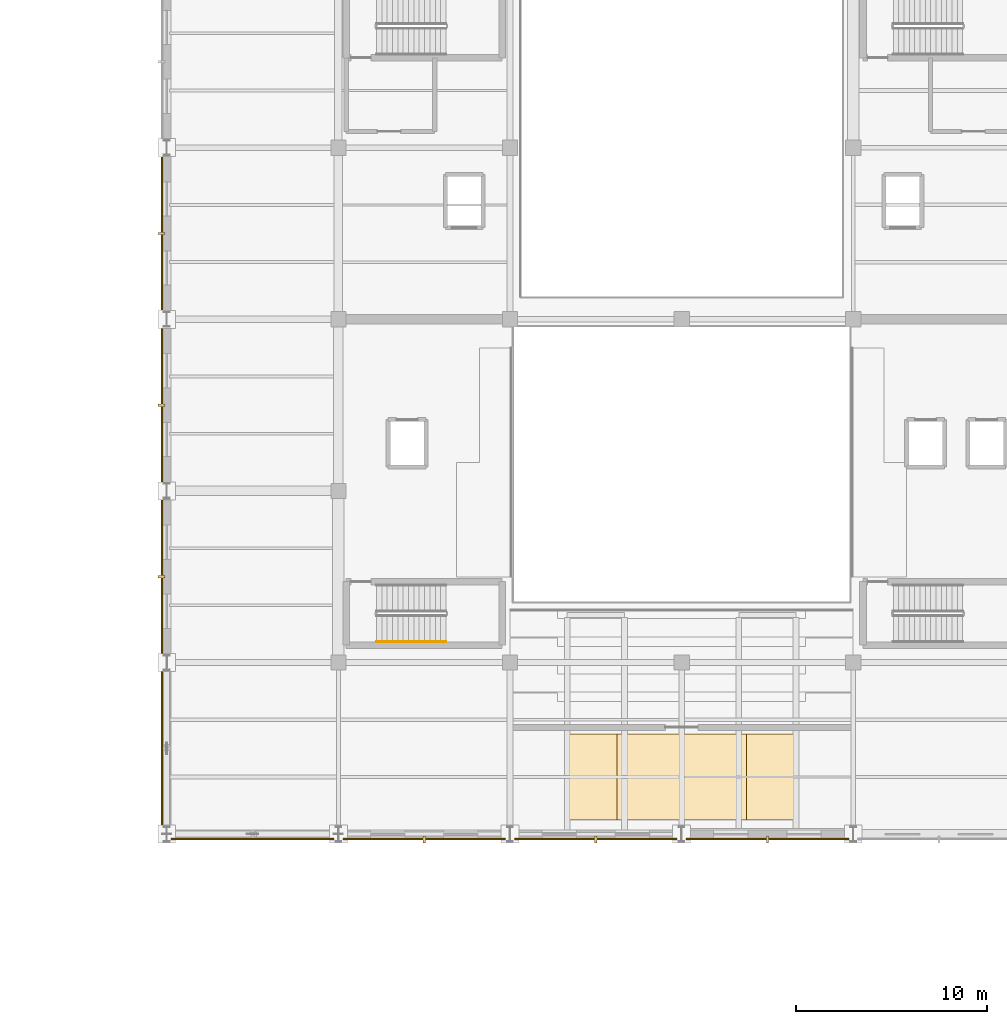
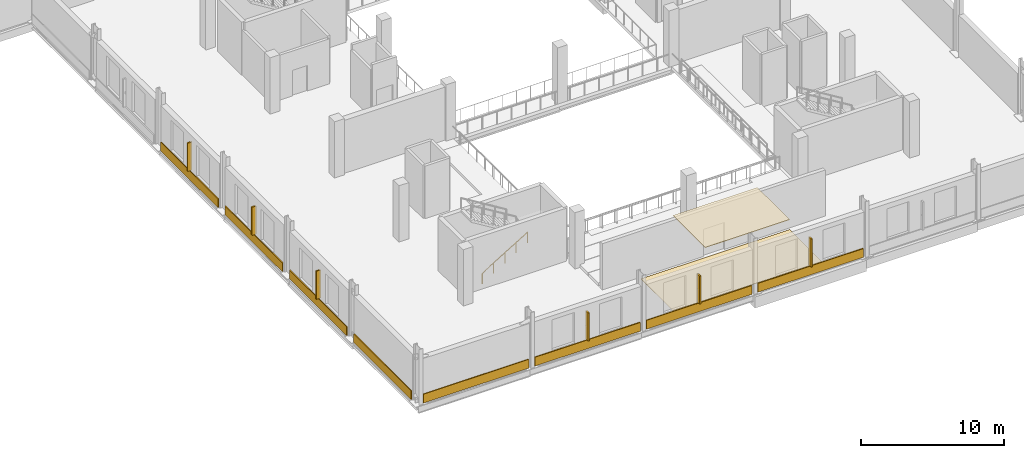
# One storey, part 44 of 54: 10 coverings, 6 shading devices, 1 railing.
"""IFC4 building model written with IfcOpenShell, lengths in metres."""

from ifc_helpers import new_model, si_unit, direction, frame, origin, origin_2d, place, context, subcontext, project, spatial, rectangle, circle, extrude, material, layer, layer_set, type_object, element, save


model = new_model("IFC4")

# Units and contexts
model_context = context("Model", 3, precision=1e-05, world=origin(), true_north=direction((0.0, 1.0)))
body_context = subcontext(model_context, "Body", "Model", "MODEL_VIEW")
ifc_project = project(units=[si_unit("LENGTHUNIT", "METRE"), si_unit("AREAUNIT", "SQUARE_METRE"), si_unit("VOLUMEUNIT", "CUBIC_METRE"), si_unit("PLANEANGLEUNIT", "RADIAN"), si_unit("MASSUNIT", "GRAM", prefix="KILO")], contexts=[model_context])

# Site, building, storey
site_placement = place(None, origin())
site = spatial("IfcSite", under=ifc_project, at=site_placement, CompositionType="ELEMENT")
building_placement = place(site_placement, origin())
building = spatial("IfcBuilding", under=site, at=building_placement, Name="Sundgate Opera House", CompositionType="ELEMENT")
storey_placement = place(building_placement, frame((0.0, 0.0, 16.800048828125)))
storey = spatial("IfcBuildingStorey", under=building, at=storey_placement, Name="L03", CompositionType="ELEMENT", Elevation=16.800048828125)

# Coverings
ifc_material_1 = material(Name="Perforated European oak acoustic ceiling", Category="wood")
ifc_layer_1 = layer(ifc_material_1, 0.044921875)
ifc_layer_set_1 = layer_set([ifc_layer_1], Name="Perforated European oak acoustic ceiling")
covering_type_1 = type_object("IfcCoveringType", Name="CV-CEIL-OAK", PredefinedType="CEILING", material=ifc_layer_set_1)
covering_1_placement = place(storey_placement, frame((54.0, 36.0, 4.47509765625), z_axis=(0.0, 0.0, 1.0), x_axis=(1.0, 0.0, 0.0)))
element("IfcCovering", 1, at=covering_1_placement, inside=storey, type_object=covering_type_1, Name="L03 Acoustic Ceiling CV0132", PredefinedType="CEILING", context=body_context, shape_type="SweptSolid", body=[
    extrude(rectangle(XDim=6.800048828125, YDim=4.5, at=origin_2d()), origin(), (0.0, 0.0, 1.0), 0.044921875),
])
ifc_material_2 = material(Name="Honed Komstad limestone floor finish", Category="masonry")
ifc_layer_2 = layer(ifc_material_2, 0.02001953125)
ifc_layer_set_2 = layer_set([ifc_layer_2], Name="Honed Komstad limestone floor finish")
covering_type_2 = type_object("IfcCoveringType", Name="CV-FLR-STONE", PredefinedType="FLOORING", material=ifc_layer_set_2)
covering_2_placement = place(storey_placement, frame((54.0, 36.0, 0.0), z_axis=(0.0, 0.0, 1.0), x_axis=(1.0, 0.0, 0.0)))
element("IfcCovering", 2, at=covering_2_placement, inside=storey, type_object=covering_type_2, Name="L03 Floor Finish CV0145", PredefinedType="FLOORING", context=body_context, shape_type="SweptSolid", body=[
    extrude(rectangle(XDim=12.0, YDim=4.5, at=origin_2d()), origin(), (0.0, 0.0, 1.0), 0.02001953125),
])
ifc_material_3 = material(Name="Deep-carved Komstad limestone relief panel", Category="masonry")
ifc_layer_3 = layer(ifc_material_3, 0.094970703125)
ifc_layer_set_3 = layer_set([ifc_layer_3], Name="Deep-carved Komstad limestone relief panel")
covering_type_3 = type_object("IfcCoveringType", Name="CV-TRENC-DEEP", PredefinedType="CLADDING", material=ifc_layer_set_3)
covering_3_placement = place(storey_placement, frame((40.5, 32.742431640625, 0.044921875), z_axis=(0.0, 0.0, 1.0), x_axis=(1.0, 0.0, 0.0)))
element("IfcCovering", 3, at=covering_3_placement, inside=storey, type_object=covering_type_3, Name="L03 Trencadis 750mm Relief Band CV0027", PredefinedType="CLADDING", context=body_context, shape_type="SweptSolid", body=[
    extrude(rectangle(XDim=8.510009765625, YDim=0.074951171875, at=origin_2d()), origin(), (0.0, 0.0, 1.0), 0.75),
])
covering_4_placement = place(storey_placement, frame((26.742431640625, 46.5, 0.044921875), z_axis=(0.0, 0.0, 1.0), x_axis=(0.0, 1.0, 0.0)))
element("IfcCovering", 4, at=covering_4_placement, inside=storey, type_object=covering_type_3, Name="L03 Trencadis 750mm Relief Band CV0039", PredefinedType="CLADDING", context=body_context, shape_type="SweptSolid", body=[
    extrude(rectangle(XDim=8.010009765625, YDim=0.074951171875, at=origin_2d()), origin(), (0.0, 0.0, 1.0), 0.75),
])
ifc_material_4 = material(Name="Frost-proof vitrified stoneware trencadis relief tile", Category="masonry")
ifc_layer_4 = layer(ifc_material_4, 0.074951171875)
ifc_layer_set_4 = layer_set([ifc_layer_4], Name="Frost-proof vitrified stoneware trencadis relief tile")
covering_type_4 = type_object("IfcCoveringType", Name="CV-TRENC-RELIEF", PredefinedType="CLADDING", material=ifc_layer_set_4)
for number, where, z_axis, x_axis, name in (
    (5, (31.5, 32.742431640625, 0.044921875), (0.0, 0.0, 1.0), (1.0, 0.0, 0.0), "L03 Trencadis 750mm Relief Band CV0025"),
    (6, (58.5, 32.742431640625, 0.044921875), (0.0, 0.0, 1.0), (1.0, 0.0, 0.0), "L03 Trencadis 750mm Relief Band CV0031"),
):
    element("IfcCovering", number, at=place(storey_placement, frame(where, z_axis=z_axis, x_axis=x_axis)), inside=storey, type_object=covering_type_4, Name=name, PredefinedType="CLADDING", context=body_context, shape_type="SweptSolid", body=[
        extrude(rectangle(XDim=8.510009765625, YDim=0.074951171875, at=origin_2d()), origin(), (0.0, 0.0, 1.0), 0.75),
    ])
for number, where, z_axis, x_axis, name in (
    (7, (26.742431640625, 37.5, 0.044921875), (0.0, 0.0, 1.0), (0.0, 1.0, 0.0), "L03 Trencadis 750mm Relief Band CV0037"),
    (8, (26.742431640625, 64.5, 0.044921875), (0.0, 0.0, 1.0), (0.0, 1.0, 0.0), "L03 Trencadis 750mm Relief Band CV0043"),
):
    element("IfcCovering", number, at=place(storey_placement, frame(where, z_axis=z_axis, x_axis=x_axis)), inside=storey, type_object=covering_type_4, Name=name, PredefinedType="CLADDING", context=body_context, shape_type="SweptSolid", body=[
        extrude(rectangle(XDim=8.010009765625, YDim=0.074951171875, at=origin_2d()), origin(), (0.0, 0.0, 1.0), 0.75),
    ])
ifc_material_5 = material(Name="Polychrome trencadis mosaic panel", Category="masonry")
ifc_layer_5 = layer(ifc_material_5, 0.054931640625)
ifc_layer_set_5 = layer_set([ifc_layer_5], Name="Polychrome trencadis mosaic panel")
covering_type_5 = type_object("IfcCoveringType", Name="CV-TRENC-SLIM", PredefinedType="CLADDING", material=ifc_layer_set_5)
covering_5_placement = place(storey_placement, frame((49.5, 32.742431640625, 0.044921875), z_axis=(0.0, 0.0, 1.0), x_axis=(1.0, 0.0, 0.0)))
element("IfcCovering", 9, at=covering_5_placement, inside=storey, type_object=covering_type_5, Name="L03 Trencadis 750mm Relief Band CV0029", PredefinedType="CLADDING", context=body_context, shape_type="SweptSolid", body=[
    extrude(rectangle(XDim=8.510009765625, YDim=0.074951171875, at=origin_2d()), origin(), (0.0, 0.0, 1.0), 0.75),
])
covering_6_placement = place(storey_placement, frame((26.742431640625, 55.5, 0.044921875), z_axis=(0.0, 0.0, 1.0), x_axis=(0.0, 1.0, 0.0)))
element("IfcCovering", 10, at=covering_6_placement, inside=storey, type_object=covering_type_5, Name="L03 Trencadis 750mm Relief Band CV0041", PredefinedType="CLADDING", context=body_context, shape_type="SweptSolid", body=[
    extrude(rectangle(XDim=8.010009765625, YDim=0.074951171875, at=origin_2d()), origin(), (0.0, 0.0, 1.0), 0.75),
])

# Railing
ifc_material_6 = material(Name="Brushed stainless steel handrail", Category="steel")
railing_type = type_object("IfcRailingType", Name="RL-STAIR-HAND-900", PredefinedType="HANDRAIL", material=ifc_material_6)
railing_placement = place(storey_placement, frame((38.0, 43.10009765625, 0.17138671875)))
element("IfcRailing", 11, at=railing_placement, inside=storey, type_object=railing_type, Name="ST01L03 Handrail RL0038", PredefinedType="HANDRAIL", context=body_context, shape_type="SweptSolid", body=[
    extrude(circle(Radius=0.02392578125, at=origin_2d()), frame((0.0, 0.0, 0.8759765625), z_axis=(0.852850264322, 0.0, 0.5221555579), x_axis=(0.0, 1.0, 0.0)), (0.0, 0.0, 1.0), 4.267822265625),
    extrude(circle(Radius=0.02099609375, at=origin_2d()), origin(), (0.0, 0.0, 1.0), 0.851806640625),
    extrude(circle(Radius=0.02099609375, at=origin_2d()), frame((0.909912109375, 0.0, 0.55712890625)), (0.0, 0.0, 1.0), 0.851806640625),
    extrude(circle(Radius=0.02099609375, at=origin_2d()), frame((1.81982421875, 0.0, 1.1142578125)), (0.0, 0.0, 1.0), 0.851806640625),
    extrude(circle(Radius=0.02099609375, at=origin_2d()), frame((2.72998046875, 0.0, 1.67138671875)), (0.0, 0.0, 1.0), 0.851806640625),
    extrude(circle(Radius=0.02099609375, at=origin_2d()), frame((3.639892578125, 0.0, 2.228515625)), (0.0, 0.0, 1.0), 0.851806640625),
])

# Shading devices
ifc_material_7 = material(Name="Frost-proof vitrified stoneware ceramic fin", Category="masonry")
shading_device_type_1 = type_object("IfcShadingDeviceType", Name="SD-CERAMIC-FIN", PredefinedType="JALOUSIE", material=ifc_material_7)
shading_device_1_placement = place(storey_placement, frame((49.5, 32.719970703125, 0.800048828125), z_axis=(0.0, 0.0, 1.0), x_axis=(1.0, 0.0, 0.0)))
element("IfcShadingDevice", 12, at=shading_device_1_placement, inside=storey, type_object=shading_device_type_1, Name="L03 Ceramic Brise-Soleil Fin SD0010", PredefinedType="JALOUSIE", context=body_context, shape_type="SweptSolid", body=[
    extrude(rectangle(XDim=0.1201171875, YDim=0.35009765625, at=origin_2d()), origin(), (0.0, 0.0, 1.0), 2.39990234375),
])
shading_device_2_placement = place(storey_placement, frame((26.719970703125, 55.5, 0.800048828125), z_axis=(0.0, 0.0, 1.0), x_axis=(1.0, 0.0, 0.0)))
element("IfcShadingDevice", 13, at=shading_device_2_placement, inside=storey, type_object=shading_device_type_1, Name="L03 Ceramic Brise-Soleil Fin SD0014", PredefinedType="JALOUSIE", context=body_context, shape_type="SweptSolid", body=[
    extrude(rectangle(XDim=0.35009765625, YDim=0.1201171875, at=origin_2d()), origin(), (0.0, 0.0, 1.0), 2.39990234375),
])
ifc_material_8 = material(Name="Glazed ceramic acoustic sun louvre", Category="masonry")
shading_device_type_2 = type_object("IfcShadingDeviceType", Name="SD-CERAMIC-LOUVRE", PredefinedType="JALOUSIE", material=ifc_material_8)
for number, where, z_axis, x_axis, name in (
    (14, (40.5, 32.719970703125, 0.800048828125), (0.0, 0.0, 1.0), (1.0, 0.0, 0.0), "L03 Ceramic Brise-Soleil Fin SD0009"),
    (15, (58.5, 32.719970703125, 0.800048828125), (0.0, 0.0, 1.0), (1.0, 0.0, 0.0), "L03 Ceramic Brise-Soleil Fin SD0011"),
):
    element("IfcShadingDevice", number, at=place(storey_placement, frame(where, z_axis=z_axis, x_axis=x_axis)), inside=storey, type_object=shading_device_type_2, Name=name, PredefinedType="JALOUSIE", context=body_context, shape_type="SweptSolid", body=[
        extrude(rectangle(XDim=0.1201171875, YDim=0.35009765625, at=origin_2d()), origin(), (0.0, 0.0, 1.0), 2.39990234375),
    ])
for number, where, z_axis, x_axis, name in (
    (16, (26.719970703125, 46.5, 0.800048828125), (0.0, 0.0, 1.0), (1.0, 0.0, 0.0), "L03 Ceramic Brise-Soleil Fin SD0013"),
    (17, (26.719970703125, 64.5, 0.800048828125), (0.0, 0.0, 1.0), (1.0, 0.0, 0.0), "L03 Ceramic Brise-Soleil Fin SD0015"),
):
    element("IfcShadingDevice", number, at=place(storey_placement, frame(where, z_axis=z_axis, x_axis=x_axis)), inside=storey, type_object=shading_device_type_2, Name=name, PredefinedType="JALOUSIE", context=body_context, shape_type="SweptSolid", body=[
        extrude(rectangle(XDim=0.35009765625, YDim=0.1201171875, at=origin_2d()), origin(), (0.0, 0.0, 1.0), 2.39990234375),
    ])

save(model, "model.ifc")
